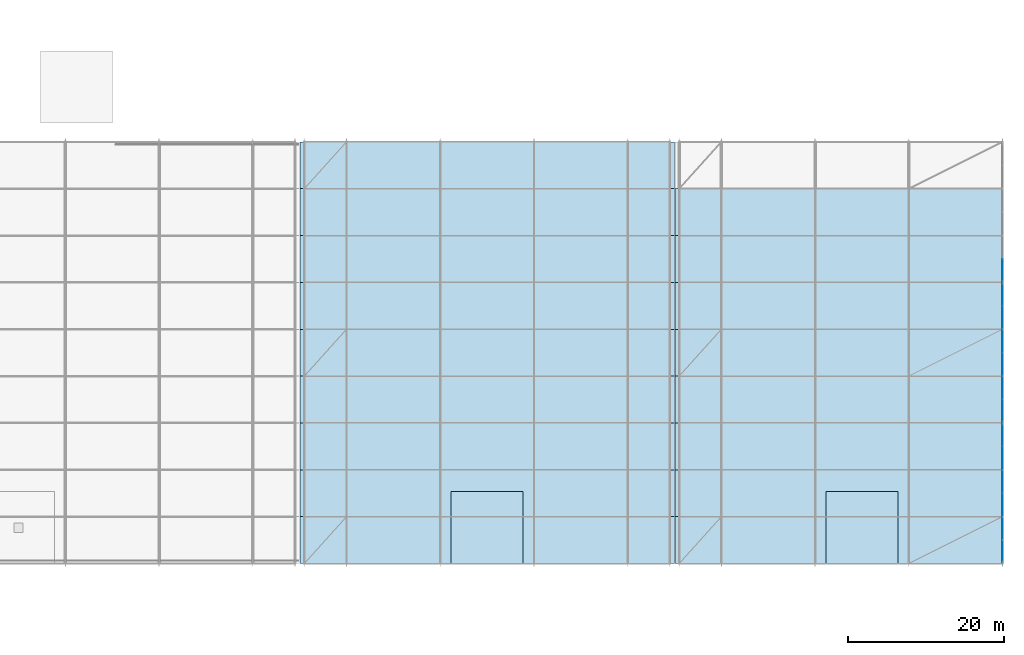
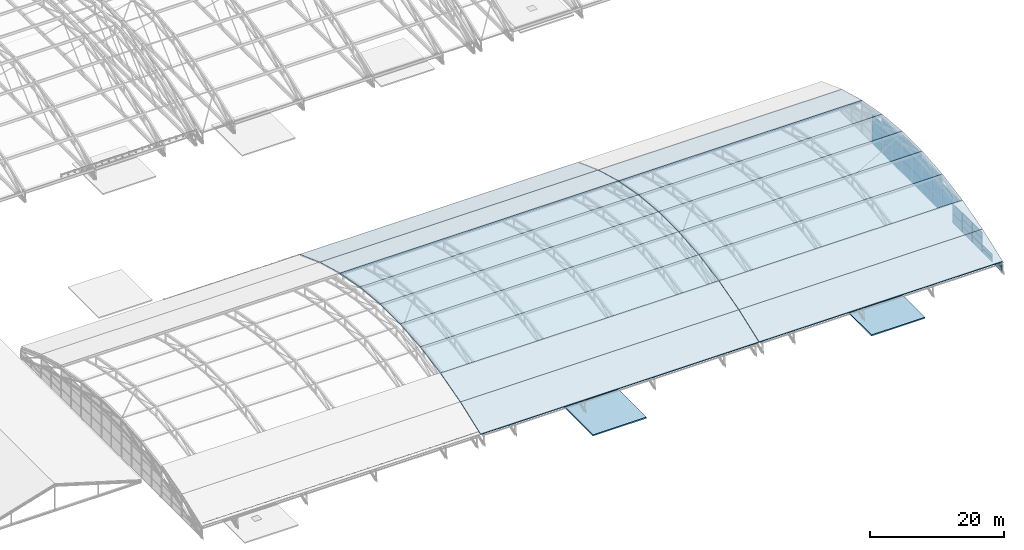
# One storey, part 162 of 204: 37 plates, 19 slabs, 9 elements without a shape of their own.
"""IFC4 building model written with IfcOpenShell, lengths in metres."""

from ifc_helpers import new_model, si_unit, direction, frame, origin, origin_2d, place, context, subcontext, project, spatial, polyline, rectangle, outline, extrude, material, layer, layer_set, type_object, element, aggregate, save


model = new_model("IFC4")

# Units and contexts
model_context = context("Model", 3, precision=1e-05, world=origin(), true_north=direction((0.0, 1.0)))
body_context = subcontext(model_context, "Body", "Model", "MODEL_VIEW")
ifc_project = project(units=[si_unit("LENGTHUNIT", "METRE"), si_unit("AREAUNIT", "SQUARE_METRE"), si_unit("VOLUMEUNIT", "CUBIC_METRE"), si_unit("PLANEANGLEUNIT", "RADIAN"), si_unit("MASSUNIT", "GRAM", prefix="KILO")], contexts=[model_context])

# Site, building, storey
site_placement = place(None, origin())
site = spatial("IfcSite", under=ifc_project, at=site_placement, CompositionType="ELEMENT")
building_placement = place(site_placement, origin())
building = spatial("IfcBuilding", under=site, at=building_placement, Name="Zilviju Railside Exhibition Hall", CompositionType="ELEMENT")
storey_placement = place(building_placement, frame((0.0, 0.0, 21.0)))
storey = spatial("IfcBuildingStorey", under=building, at=storey_placement, Name="RF", CompositionType="ELEMENT", Elevation=21.0)

# Curtain wall, plates
ifc_material_1 = material(Name="Thermally broken aluminium-steel triple-glazed curtain wall", Category="steel")
ifc_layer_1 = layer(ifc_material_1, 0.179931640625)
ifc_layer_set_1 = layer_set([ifc_layer_1], Name="Thermally broken aluminium-steel triple-glazed curtain wall")
curtain_wall_type_1 = type_object("IfcCurtainWallType", Name="CW-BAY-03", PredefinedType="USERDEFINED", material=ifc_layer_set_1)
curtain_wall_1_placement = place(storey_placement, origin())
curtain_wall_1 = element("IfcCurtainWall", 1, at=curtain_wall_1_placement, inside=storey, type_object=curtain_wall_type_1, Name="South Hall Arch Tympanum Glazing East P6", ObjectType="GLAZED CURTAIN WALL", PredefinedType="USERDEFINED")
ifc_material_2 = material(Name="Laminated acoustic double-glazed porch unit", Category="glass")
ifc_layer_2 = layer(ifc_material_2, 0.031982421875)
ifc_layer_set_2 = layer_set([ifc_layer_2], Name="Laminated acoustic double-glazed porch unit")
plate_type_1 = type_object("IfcPlateType", Name="CWP-IGU-32", PredefinedType="CURTAIN_PANEL", material=ifc_layer_set_2)
plate_1_placement = place(storey_placement, frame((216.0, 34.485107421875, -7.739990234375), z_axis=(0.0, 0.0, 1.0), x_axis=(0.0, -1.0, 0.0)))
plate_1 = element("IfcPlate", 2, at=plate_1_placement, type_object=plate_type_1, Name="CW-03 panel 1.1", PredefinedType="CURTAIN_PANEL", context=body_context, shape_type="SweptSolid", body=[
    extrude(rectangle(XDim=2.909912109375, YDim=0.031982421875, at=origin_2d()), origin(), (0.0, 0.0, 1.0), 2.10302734375),
])
plate_2_placement = place(storey_placement, frame((216.0, 34.485107421875, -5.5771484375), z_axis=(0.0, 0.0, 1.0), x_axis=(0.0, -1.0, 0.0)))
plate_2 = element("IfcPlate", 3, at=plate_2_placement, type_object=plate_type_1, Name="CW-03 panel 1.2", PredefinedType="CURTAIN_PANEL", context=body_context, shape_type="SweptSolid", body=[
    extrude(rectangle(XDim=2.909912109375, YDim=0.031982421875, at=origin_2d()), origin(), (0.0, 0.0, 1.0), 2.132080078125),
])
plate_3_placement = place(storey_placement, frame((216.0, 34.485107421875, -3.385009765625), z_axis=(0.0, 0.0, 1.0), x_axis=(0.0, -1.0, 0.0)))
plate_3 = element("IfcPlate", 4, at=plate_3_placement, type_object=plate_type_1, Name="CW-03 panel 1.3", PredefinedType="CURTAIN_PANEL", context=body_context, shape_type="SweptSolid", body=[
    extrude(rectangle(XDim=2.909912109375, YDim=0.031982421875, at=origin_2d()), origin(), (0.0, 0.0, 1.0), 2.10302734375),
])
plate_4_placement = place(storey_placement, frame((216.0, 31.514892578125, -7.739990234375), z_axis=(0.0, 0.0, 1.0), x_axis=(0.0, -1.0, 0.0)))
plate_4 = element("IfcPlate", 5, at=plate_4_placement, type_object=plate_type_1, Name="CW-03 panel 2.1", PredefinedType="CURTAIN_PANEL", context=body_context, shape_type="SweptSolid", body=[
    extrude(rectangle(XDim=2.909912109375, YDim=0.031982421875, at=origin_2d()), origin(), (0.0, 0.0, 1.0), 2.10302734375),
])
plate_5_placement = place(storey_placement, frame((216.0, 31.514892578125, -5.5771484375), z_axis=(0.0, 0.0, 1.0), x_axis=(0.0, -1.0, 0.0)))
plate_5 = element("IfcPlate", 6, at=plate_5_placement, type_object=plate_type_1, Name="CW-03 panel 2.2", PredefinedType="CURTAIN_PANEL", context=body_context, shape_type="SweptSolid", body=[
    extrude(rectangle(XDim=2.909912109375, YDim=0.031982421875, at=origin_2d()), origin(), (0.0, 0.0, 1.0), 2.132080078125),
])
plate_6_placement = place(storey_placement, frame((216.0, 31.514892578125, -3.385009765625), z_axis=(0.0, 0.0, 1.0), x_axis=(0.0, -1.0, 0.0)))
plate_6 = element("IfcPlate", 7, at=plate_6_placement, type_object=plate_type_1, Name="CW-03 panel 2.3", PredefinedType="CURTAIN_PANEL", context=body_context, shape_type="SweptSolid", body=[
    extrude(rectangle(XDim=2.909912109375, YDim=0.031982421875, at=origin_2d()), origin(), (0.0, 0.0, 1.0), 2.10302734375),
])
aggregate(curtain_wall_1, [plate_1, plate_2, plate_3, plate_4, plate_5, plate_6])

ifc_layer_3 = layer(ifc_material_1, 0.179931640625)
ifc_layer_set_3 = layer_set([ifc_layer_3], Name="Thermally broken aluminium-steel triple-glazed curtain wall")
curtain_wall_type_2 = type_object("IfcCurtainWallType", Name="CW-BAY-02", PredefinedType="USERDEFINED", material=ifc_layer_set_3)
curtain_wall_2_placement = place(storey_placement, origin())
curtain_wall_2 = element("IfcCurtainWall", 8, at=curtain_wall_2_placement, inside=storey, type_object=curtain_wall_type_2, Name="South Hall Arch Tympanum Glazing East P5", ObjectType="GLAZED CURTAIN WALL", PredefinedType="USERDEFINED")
ifc_material_3 = material(Name="Triple-glazed solar-control glass unit", Category="glass")
ifc_layer_4 = layer(ifc_material_3, 0.0380859375)
ifc_layer_set_4 = layer_set([ifc_layer_4], Name="Triple-glazed solar-control glass unit")
plate_type_2 = type_object("IfcPlateType", Name="CWP-IGU-38", PredefinedType="CURTAIN_PANEL", material=ifc_layer_set_4)
plate_7_placement = place(storey_placement, frame((216.0, 28.483642578125, -7.73486328125), z_axis=(0.0, 0.0, 1.0), x_axis=(0.0, -1.0, 0.0)))
plate_7 = element("IfcPlate", 9, at=plate_7_placement, type_object=plate_type_2, Name="CW-02 panel 1.1", PredefinedType="CURTAIN_PANEL", context=body_context, shape_type="SweptSolid", body=[
    extrude(rectangle(XDim=2.902587890625, YDim=0.0380859375, at=origin_2d()), origin(), (0.0, 0.0, 1.0), 2.279541015625),
])
plate_8_placement = place(storey_placement, frame((216.0, 28.483642578125, -5.390625), z_axis=(0.0, 0.0, 1.0), x_axis=(0.0, -1.0, 0.0)))
plate_8 = element("IfcPlate", 10, at=plate_8_placement, type_object=plate_type_2, Name="CW-02 panel 1.2", PredefinedType="CURTAIN_PANEL", context=body_context, shape_type="SweptSolid", body=[
    extrude(rectangle(XDim=2.902587890625, YDim=0.0380859375, at=origin_2d()), origin(), (0.0, 0.0, 1.0), 2.31201171875),
])
plate_9_placement = place(storey_placement, frame((216.0, 28.483642578125, -3.013671875), z_axis=(0.0, 0.0, 1.0), x_axis=(0.0, -1.0, 0.0)))
plate_9 = element("IfcPlate", 11, at=plate_9_placement, type_object=plate_type_2, Name="CW-02 panel 1.3", PredefinedType="CURTAIN_PANEL", context=body_context, shape_type="SweptSolid", body=[
    extrude(rectangle(XDim=2.902587890625, YDim=0.0380859375, at=origin_2d()), origin(), (0.0, 0.0, 1.0), 2.279541015625),
])
plate_10_placement = place(storey_placement, frame((216.0, 25.516357421875, -7.73486328125), z_axis=(0.0, 0.0, 1.0), x_axis=(0.0, -1.0, 0.0)))
plate_10 = element("IfcPlate", 12, at=plate_10_placement, type_object=plate_type_2, Name="CW-02 panel 2.1", PredefinedType="CURTAIN_PANEL", context=body_context, shape_type="SweptSolid", body=[
    extrude(rectangle(XDim=2.902587890625, YDim=0.0380859375, at=origin_2d()), origin(), (0.0, 0.0, 1.0), 2.279541015625),
])
plate_11_placement = place(storey_placement, frame((216.0, 25.516357421875, -5.390625), z_axis=(0.0, 0.0, 1.0), x_axis=(0.0, -1.0, 0.0)))
plate_11 = element("IfcPlate", 13, at=plate_11_placement, type_object=plate_type_2, Name="CW-02 panel 2.2", PredefinedType="CURTAIN_PANEL", context=body_context, shape_type="SweptSolid", body=[
    extrude(rectangle(XDim=2.902587890625, YDim=0.0380859375, at=origin_2d()), origin(), (0.0, 0.0, 1.0), 2.31201171875),
])
plate_12_placement = place(storey_placement, frame((216.0, 25.516357421875, -3.013671875), z_axis=(0.0, 0.0, 1.0), x_axis=(0.0, -1.0, 0.0)))
plate_12 = element("IfcPlate", 14, at=plate_12_placement, type_object=plate_type_2, Name="CW-02 panel 2.3", PredefinedType="CURTAIN_PANEL", context=body_context, shape_type="SweptSolid", body=[
    extrude(rectangle(XDim=2.902587890625, YDim=0.0380859375, at=origin_2d()), origin(), (0.0, 0.0, 1.0), 2.279541015625),
])
aggregate(curtain_wall_2, [plate_7, plate_8, plate_9, plate_10, plate_11, plate_12])

ifc_layer_5 = layer(ifc_material_1, 0.179931640625)
ifc_layer_set_5 = layer_set([ifc_layer_5], Name="Thermally broken aluminium-steel triple-glazed curtain wall")
curtain_wall_type_3 = type_object("IfcCurtainWallType", Name="CW-BAY-20", PredefinedType="USERDEFINED", material=ifc_layer_set_5)
curtain_wall_3_placement = place(storey_placement, origin())
curtain_wall_3 = element("IfcCurtainWall", 15, at=curtain_wall_3_placement, inside=storey, type_object=curtain_wall_type_3, Name="South Hall Arch Tympanum Glazing East P3", ObjectType="GLAZED CURTAIN WALL", PredefinedType="USERDEFINED")
ifc_material_4 = material(Name="Triple-glazed low-E argon insulating glass unit", Category="glass")
ifc_layer_6 = layer(ifc_material_4, 0.0439453125)
ifc_layer_set_6 = layer_set([ifc_layer_6], Name="Triple-glazed low-E argon insulating glass unit")
plate_type_3 = type_object("IfcPlateType", Name="CWP-IGU-44", PredefinedType="CURTAIN_PANEL", material=ifc_layer_set_6)
plate_13_placement = place(storey_placement, frame((216.0, 16.486328125, -7.7451171875), z_axis=(0.0, 0.0, 1.0), x_axis=(0.0, -1.0, 0.0)))
plate_13 = element("IfcPlate", 16, at=plate_13_placement, type_object=plate_type_3, Name="CW-20 panel 1.1", PredefinedType="CURTAIN_PANEL", context=body_context, shape_type="SweptSolid", body=[
    extrude(rectangle(XDim=2.91748046875, YDim=0.0439453125, at=origin_2d()), origin(), (0.0, 0.0, 1.0), 1.741455078125),
])
plate_14_placement = place(storey_placement, frame((216.0, 16.486328125, -5.948486328125), z_axis=(0.0, 0.0, 1.0), x_axis=(0.0, -1.0, 0.0)))
plate_14 = element("IfcPlate", 17, at=plate_14_placement, type_object=plate_type_3, Name="CW-20 panel 1.2", PredefinedType="CURTAIN_PANEL", context=body_context, shape_type="SweptSolid", body=[
    extrude(rectangle(XDim=2.91748046875, YDim=0.0439453125, at=origin_2d()), origin(), (0.0, 0.0, 1.0), 1.76904296875),
])
plate_15_placement = place(storey_placement, frame((216.0, 16.486328125, -4.12451171875), z_axis=(0.0, 0.0, 1.0), x_axis=(0.0, -1.0, 0.0)))
plate_15 = element("IfcPlate", 18, at=plate_15_placement, type_object=plate_type_3, Name="CW-20 panel 1.3", PredefinedType="CURTAIN_PANEL", context=body_context, shape_type="SweptSolid", body=[
    extrude(rectangle(XDim=2.91748046875, YDim=0.0439453125, at=origin_2d()), origin(), (0.0, 0.0, 1.0), 1.741455078125),
])
plate_16_placement = place(storey_placement, frame((216.0, 13.513671875, -7.7451171875), z_axis=(0.0, 0.0, 1.0), x_axis=(0.0, -1.0, 0.0)))
plate_16 = element("IfcPlate", 19, at=plate_16_placement, type_object=plate_type_3, Name="CW-20 panel 2.1", PredefinedType="CURTAIN_PANEL", context=body_context, shape_type="SweptSolid", body=[
    extrude(rectangle(XDim=2.91748046875, YDim=0.0439453125, at=origin_2d()), origin(), (0.0, 0.0, 1.0), 1.741455078125),
])
plate_17_placement = place(storey_placement, frame((216.0, 13.513671875, -5.948486328125), z_axis=(0.0, 0.0, 1.0), x_axis=(0.0, -1.0, 0.0)))
plate_17 = element("IfcPlate", 20, at=plate_17_placement, type_object=plate_type_3, Name="CW-20 panel 2.2", PredefinedType="CURTAIN_PANEL", context=body_context, shape_type="SweptSolid", body=[
    extrude(rectangle(XDim=2.91748046875, YDim=0.0439453125, at=origin_2d()), origin(), (0.0, 0.0, 1.0), 1.76904296875),
])
plate_18_placement = place(storey_placement, frame((216.0, 13.513671875, -4.12451171875), z_axis=(0.0, 0.0, 1.0), x_axis=(0.0, -1.0, 0.0)))
plate_18 = element("IfcPlate", 21, at=plate_18_placement, type_object=plate_type_3, Name="CW-20 panel 2.3", PredefinedType="CURTAIN_PANEL", context=body_context, shape_type="SweptSolid", body=[
    extrude(rectangle(XDim=2.91748046875, YDim=0.0439453125, at=origin_2d()), origin(), (0.0, 0.0, 1.0), 1.741455078125),
])
aggregate(curtain_wall_3, [plate_13, plate_14, plate_15, plate_16, plate_17, plate_18])

ifc_layer_7 = layer(ifc_material_1, 0.179931640625)
ifc_layer_set_7 = layer_set([ifc_layer_7], Name="Thermally broken aluminium-steel triple-glazed curtain wall")
curtain_wall_type_4 = type_object("IfcCurtainWallType", Name="CW-BAY-01", PredefinedType="USERDEFINED", material=ifc_layer_set_7)
curtain_wall_4_placement = place(storey_placement, origin())
curtain_wall_4 = element("IfcCurtainWall", 22, at=curtain_wall_4_placement, inside=storey, type_object=curtain_wall_type_4, Name="South Hall Arch Tympanum Glazing East P4", ObjectType="GLAZED CURTAIN WALL", PredefinedType="USERDEFINED")
plate_19_placement = place(storey_placement, frame((216.0, 22.482421875, -7.72998046875), z_axis=(0.0, 0.0, 1.0), x_axis=(0.0, -1.0, 0.0)))
plate_19 = element("IfcPlate", 23, at=plate_19_placement, type_object=plate_type_3, Name="CW-01 panel 1.1", PredefinedType="CURTAIN_PANEL", context=body_context, shape_type="SweptSolid", body=[
    extrude(rectangle(XDim=2.89501953125, YDim=0.0439453125, at=origin_2d()), origin(), (0.0, 0.0, 1.0), 2.087890625),
])
plate_20_placement = place(storey_placement, frame((216.0, 22.482421875, -5.572021484375), z_axis=(0.0, 0.0, 1.0), x_axis=(0.0, -1.0, 0.0)))
plate_20 = element("IfcPlate", 24, at=plate_20_placement, type_object=plate_type_3, Name="CW-01 panel 1.2", PredefinedType="CURTAIN_PANEL", context=body_context, shape_type="SweptSolid", body=[
    extrude(rectangle(XDim=2.89501953125, YDim=0.0439453125, at=origin_2d()), origin(), (0.0, 0.0, 1.0), 2.1220703125),
])
plate_21_placement = place(storey_placement, frame((216.0, 22.482421875, -3.3798828125), z_axis=(0.0, 0.0, 1.0), x_axis=(0.0, -1.0, 0.0)))
plate_21 = element("IfcPlate", 25, at=plate_21_placement, type_object=plate_type_3, Name="CW-01 panel 1.3", PredefinedType="CURTAIN_PANEL", context=body_context, shape_type="SweptSolid", body=[
    extrude(rectangle(XDim=2.89501953125, YDim=0.0439453125, at=origin_2d()), origin(), (0.0, 0.0, 1.0), 2.087890625),
])
plate_22_placement = place(storey_placement, frame((216.0, 19.517578125, -7.72998046875), z_axis=(0.0, 0.0, 1.0), x_axis=(0.0, -1.0, 0.0)))
plate_22 = element("IfcPlate", 26, at=plate_22_placement, type_object=plate_type_3, Name="CW-01 panel 2.1", PredefinedType="CURTAIN_PANEL", context=body_context, shape_type="SweptSolid", body=[
    extrude(rectangle(XDim=2.89501953125, YDim=0.0439453125, at=origin_2d()), origin(), (0.0, 0.0, 1.0), 2.087890625),
])
plate_23_placement = place(storey_placement, frame((216.0, 19.517578125, -5.572021484375), z_axis=(0.0, 0.0, 1.0), x_axis=(0.0, -1.0, 0.0)))
plate_23 = element("IfcPlate", 27, at=plate_23_placement, type_object=plate_type_3, Name="CW-01 panel 2.2", PredefinedType="CURTAIN_PANEL", context=body_context, shape_type="SweptSolid", body=[
    extrude(rectangle(XDim=2.89501953125, YDim=0.0439453125, at=origin_2d()), origin(), (0.0, 0.0, 1.0), 2.1220703125),
])
plate_24_placement = place(storey_placement, frame((216.0, 19.517578125, -3.3798828125), z_axis=(0.0, 0.0, 1.0), x_axis=(0.0, -1.0, 0.0)))
plate_24 = element("IfcPlate", 28, at=plate_24_placement, type_object=plate_type_3, Name="CW-01 panel 2.3", PredefinedType="CURTAIN_PANEL", context=body_context, shape_type="SweptSolid", body=[
    extrude(rectangle(XDim=2.89501953125, YDim=0.0439453125, at=origin_2d()), origin(), (0.0, 0.0, 1.0), 2.087890625),
])
aggregate(curtain_wall_4, [plate_19, plate_20, plate_21, plate_22, plate_23, plate_24])

ifc_layer_8 = layer(ifc_material_1, 0.179931640625)
ifc_layer_set_8 = layer_set([ifc_layer_8], Name="Thermally broken aluminium-steel triple-glazed curtain wall")
curtain_wall_type_5 = type_object("IfcCurtainWallType", Name="CW-BAY-18", PredefinedType="USERDEFINED", material=ifc_layer_set_8)
curtain_wall_5_placement = place(storey_placement, origin())
curtain_wall_5 = element("IfcCurtainWall", 29, at=curtain_wall_5_placement, inside=storey, type_object=curtain_wall_type_5, Name="South Hall Arch Tympanum Glazing East P1", ObjectType="GLAZED CURTAIN WALL", PredefinedType="USERDEFINED")
ifc_material_5 = material(Name="Insulated cobalt-blue enamelled spandrel glass panel", Category="glass")
ifc_layer_9 = layer(ifc_material_5, 0.052001953125)
ifc_layer_set_9 = layer_set([ifc_layer_9], Name="Insulated cobalt-blue enamelled spandrel glass panel")
plate_type_4 = type_object("IfcPlateType", Name="CWP-SPD-52", PredefinedType="CURTAIN_PANEL", material=ifc_layer_set_9)
plate_25_placement = place(storey_placement, frame((216.0, 4.47998046875, -7.7197265625), z_axis=(0.0, 0.0, 1.0), x_axis=(0.0, -1.0, 0.0)))
plate_25 = element("IfcPlate", 30, at=plate_25_placement, type_object=plate_type_4, Name="CW-18 panel 1.1", PredefinedType="CURTAIN_PANEL", context=body_context, shape_type="SweptSolid", body=[
    extrude(rectangle(XDim=2.8798828125, YDim=0.052001953125, at=origin_2d()), origin(), (0.0, 0.0, 1.0), 0.679931640625),
])
plate_26_placement = place(storey_placement, frame((216.0, 4.47998046875, -6.9599609375), z_axis=(0.0, 0.0, 1.0), x_axis=(0.0, -1.0, 0.0)))
plate_26 = element("IfcPlate", 31, at=plate_26_placement, type_object=plate_type_4, Name="CW-18 panel 1.2", PredefinedType="CURTAIN_PANEL", context=body_context, shape_type="SweptSolid", body=[
    extrude(rectangle(XDim=2.8798828125, YDim=0.052001953125, at=origin_2d()), origin(), (0.0, 0.0, 1.0), 0.679931640625),
])
plate_27_placement = place(storey_placement, frame((216.0, 1.52001953125, -7.7197265625), z_axis=(0.0, 0.0, 1.0), x_axis=(0.0, -1.0, 0.0)))
plate_27 = element("IfcPlate", 32, at=plate_27_placement, type_object=plate_type_4, Name="CW-18 panel 2.1", PredefinedType="CURTAIN_PANEL", context=body_context, shape_type="SweptSolid", body=[
    extrude(rectangle(XDim=2.8798828125, YDim=0.052001953125, at=origin_2d()), origin(), (0.0, 0.0, 1.0), 0.679931640625),
])
plate_28_placement = place(storey_placement, frame((216.0, 1.52001953125, -6.9599609375), z_axis=(0.0, 0.0, 1.0), x_axis=(0.0, -1.0, 0.0)))
plate_28 = element("IfcPlate", 33, at=plate_28_placement, type_object=plate_type_4, Name="CW-18 panel 2.2", PredefinedType="CURTAIN_PANEL", context=body_context, shape_type="SweptSolid", body=[
    extrude(rectangle(XDim=2.8798828125, YDim=0.052001953125, at=origin_2d()), origin(), (0.0, 0.0, 1.0), 0.679931640625),
])
aggregate(curtain_wall_5, [plate_25, plate_26, plate_27, plate_28])

ifc_layer_10 = layer(ifc_material_1, 0.179931640625)
ifc_layer_set_10 = layer_set([ifc_layer_10], Name="Thermally broken aluminium-steel triple-glazed curtain wall")
curtain_wall_type_6 = type_object("IfcCurtainWallType", Name="CW-BAY-04", PredefinedType="USERDEFINED", material=ifc_layer_set_10)
curtain_wall_6_placement = place(storey_placement, origin())
curtain_wall_6 = element("IfcCurtainWall", 34, at=curtain_wall_6_placement, inside=storey, type_object=curtain_wall_type_6, Name="South Hall Arch Tympanum Glazing East P7", ObjectType="GLAZED CURTAIN WALL", PredefinedType="USERDEFINED")
plate_29_placement = place(storey_placement, frame((216.0, 37.52001953125, -7.719970703125), z_axis=(0.0, 0.0, 1.0), x_axis=(0.0, -1.0, 0.0)))
plate_29 = element("IfcPlate", 35, at=plate_29_placement, type_object=plate_type_4, Name="CW-04 panel 2.1", PredefinedType="CURTAIN_PANEL", context=body_context, shape_type="SweptSolid", body=[
    extrude(rectangle(XDim=2.8798828125, YDim=0.052001953125, at=origin_2d()), origin(), (0.0, 0.0, 1.0), 1.7041015625),
])
plate_30_placement = place(storey_placement, frame((216.0, 37.52001953125, -5.93603515625), z_axis=(0.0, 0.0, 1.0), x_axis=(0.0, -1.0, 0.0)))
plate_30 = element("IfcPlate", 36, at=plate_30_placement, type_object=plate_type_4, Name="CW-04 panel 2.2", PredefinedType="CURTAIN_PANEL", context=body_context, shape_type="SweptSolid", body=[
    extrude(rectangle(XDim=2.8798828125, YDim=0.052001953125, at=origin_2d()), origin(), (0.0, 0.0, 1.0), 1.743896484375),
])
plate_31_placement = place(storey_placement, frame((216.0, 37.52001953125, -4.112060546875), z_axis=(0.0, 0.0, 1.0), x_axis=(0.0, -1.0, 0.0)))
plate_31 = element("IfcPlate", 37, at=plate_31_placement, type_object=plate_type_4, Name="CW-04 panel 2.3", PredefinedType="CURTAIN_PANEL", context=body_context, shape_type="SweptSolid", body=[
    extrude(rectangle(XDim=2.8798828125, YDim=0.052001953125, at=origin_2d()), origin(), (0.0, 0.0, 1.0), 1.7041015625),
])
aggregate(curtain_wall_6, [plate_29, plate_30, plate_31])

ifc_layer_11 = layer(ifc_material_1, 0.179931640625)
ifc_layer_set_11 = layer_set([ifc_layer_11], Name="Thermally broken aluminium-steel triple-glazed curtain wall")
curtain_wall_type_7 = type_object("IfcCurtainWallType", Name="CW-BAY-19", PredefinedType="USERDEFINED", material=ifc_layer_set_11)
curtain_wall_7_placement = place(storey_placement, origin())
curtain_wall_7 = element("IfcCurtainWall", 38, at=curtain_wall_7_placement, inside=storey, type_object=curtain_wall_type_7, Name="South Hall Arch Tympanum Glazing East P2", ObjectType="GLAZED CURTAIN WALL", PredefinedType="USERDEFINED")
ifc_material_6 = material(Name="Insulated emerald ceramic-frit spandrel panel", Category="glass")
ifc_layer_12 = layer(ifc_material_6, 0.06396484375)
ifc_layer_set_12 = layer_set([ifc_layer_12], Name="Insulated emerald ceramic-frit spandrel panel")
plate_type_5 = type_object("IfcPlateType", Name="CWP-SPD-64", PredefinedType="CURTAIN_PANEL", material=ifc_layer_set_12)
plate_32_placement = place(storey_placement, frame((216.0, 10.481201171875, -7.72509765625), z_axis=(0.0, 0.0, 1.0), x_axis=(0.0, -1.0, 0.0)))
plate_32 = element("IfcPlate", 39, at=plate_32_placement, type_object=plate_type_5, Name="CW-19 panel 1.1", PredefinedType="CURTAIN_PANEL", context=body_context, shape_type="SweptSolid", body=[
    extrude(rectangle(XDim=2.887451171875, YDim=0.06396484375, at=origin_2d()), origin(), (0.0, 0.0, 1.0), 1.158447265625),
])
plate_33_placement = place(storey_placement, frame((216.0, 10.481201171875, -6.49169921875), z_axis=(0.0, 0.0, 1.0), x_axis=(0.0, -1.0, 0.0)))
plate_33 = element("IfcPlate", 40, at=plate_33_placement, type_object=plate_type_5, Name="CW-19 panel 1.2", PredefinedType="CURTAIN_PANEL", context=body_context, shape_type="SweptSolid", body=[
    extrude(rectangle(XDim=2.887451171875, YDim=0.06396484375, at=origin_2d()), origin(), (0.0, 0.0, 1.0), 1.195068359375),
])
plate_34_placement = place(storey_placement, frame((216.0, 10.481201171875, -5.2216796875), z_axis=(0.0, 0.0, 1.0), x_axis=(0.0, -1.0, 0.0)))
plate_34 = element("IfcPlate", 41, at=plate_34_placement, type_object=plate_type_5, Name="CW-19 panel 1.3", PredefinedType="CURTAIN_PANEL", context=body_context, shape_type="SweptSolid", body=[
    extrude(rectangle(XDim=2.887451171875, YDim=0.06396484375, at=origin_2d()), origin(), (0.0, 0.0, 1.0), 1.158447265625),
])
plate_35_placement = place(storey_placement, frame((216.0, 7.518798828125, -7.72509765625), z_axis=(0.0, 0.0, 1.0), x_axis=(0.0, -1.0, 0.0)))
plate_35 = element("IfcPlate", 42, at=plate_35_placement, type_object=plate_type_5, Name="CW-19 panel 2.1", PredefinedType="CURTAIN_PANEL", context=body_context, shape_type="SweptSolid", body=[
    extrude(rectangle(XDim=2.887451171875, YDim=0.06396484375, at=origin_2d()), origin(), (0.0, 0.0, 1.0), 1.158447265625),
])
plate_36_placement = place(storey_placement, frame((216.0, 7.518798828125, -6.49169921875), z_axis=(0.0, 0.0, 1.0), x_axis=(0.0, -1.0, 0.0)))
plate_36 = element("IfcPlate", 43, at=plate_36_placement, type_object=plate_type_5, Name="CW-19 panel 2.2", PredefinedType="CURTAIN_PANEL", context=body_context, shape_type="SweptSolid", body=[
    extrude(rectangle(XDim=2.887451171875, YDim=0.06396484375, at=origin_2d()), origin(), (0.0, 0.0, 1.0), 1.195068359375),
])
plate_37_placement = place(storey_placement, frame((216.0, 7.518798828125, -5.2216796875), z_axis=(0.0, 0.0, 1.0), x_axis=(0.0, -1.0, 0.0)))
plate_37 = element("IfcPlate", 44, at=plate_37_placement, type_object=plate_type_5, Name="CW-19 panel 2.3", PredefinedType="CURTAIN_PANEL", context=body_context, shape_type="SweptSolid", body=[
    extrude(rectangle(XDim=2.887451171875, YDim=0.06396484375, at=origin_2d()), origin(), (0.0, 0.0, 1.0), 1.158447265625),
])
aggregate(curtain_wall_7, [plate_32, plate_33, plate_34, plate_35, plate_36, plate_37])

# Slabs
ifc_material_7 = material(Name="Concrete C35/45", Category="concrete")
ifc_layer_13 = layer(ifc_material_7, 0.219970703125)
ifc_layer_set_13 = layer_set([ifc_layer_13], Name="Concrete C35/45")
slab_type_1 = type_object("IfcSlabType", Name="SL-RCAP-220", PredefinedType="ROOF", material=ifc_layer_set_13)
slab_1_placement = place(storey_placement, frame((0.0, 0.0, -12.820068359375)))
element("IfcSlab", 45, at=slab_1_placement, inside=storey, type_object=slab_type_1, Name="Core C02 South Hall Mid Overrun Roof Cap", PredefinedType="ROOF", context=body_context, shape_type="SweptSolid", body=[
    extrude(outline(polyline([(145.39990234375, 0.0), (154.60009765625, 0.0), (154.60009765625, 9.199951171875), (145.39990234375, 9.199951171875), (145.39990234375, 0.0)])), origin(), (0.0, 0.0, 1.0), 0.219970703125),
])
slab_2_placement = place(storey_placement, frame((0.0, 0.0, -11.419921875)))
element("IfcSlab", 46, at=slab_2_placement, inside=storey, type_object=slab_type_1, Name="Core C03 South Hall East Overrun Roof Cap", PredefinedType="ROOF", context=body_context, shape_type="SweptSolid", body=[
    extrude(outline(polyline([(193.39990234375, 0.0), (202.60009765625, 0.0), (202.60009765625, 9.199951171875), (193.39990234375, 9.199951171875), (193.39990234375, 0.0)])), origin(), (0.0, 0.0, 1.0), 0.219970703125),
])

# Roof, slabs
ifc_material_8 = material(Name="Standing-seam zinc-copper acoustic barrel roof deck", Category="steel")
ifc_layer_14 = layer(ifc_material_8, 0.239990234375)
ifc_layer_set_14 = layer_set([ifc_layer_14], Name="Standing-seam zinc-copper acoustic barrel roof deck")
roof_type = type_object("IfcRoofType", Name="ROOF-BARREL-ZINC", PredefinedType="BARREL_ROOF", material=ifc_layer_set_14)
roof_1_placement = place(storey_placement, origin())
roof_1 = element("IfcRoof", 47, at=roof_1_placement, inside=storey, type_object=roof_type, Name="V1 Standing-Seam Barrel Vault Roof Block 2", PredefinedType="BARREL_ROOF")
ifc_layer_15 = layer(ifc_material_7, 0.22998046875)
ifc_layer_set_15 = layer_set([ifc_layer_15], Name="Concrete C35/45")
slab_type_2 = type_object("IfcSlabType", Name="SL-ROOF-230", PredefinedType="ROOF", material=ifc_layer_set_15)
slab_3_placement = place(storey_placement, frame((126.030029296875, 0.0, -5.675048828125), z_axis=(0.0, -0.345963648468, 0.938247917098), x_axis=(1.0, 0.0, 0.0)))
slab_3 = element("IfcSlab", 48, at=slab_3_placement, type_object=slab_type_2, Name="V1 Barrel Vault Roof Deck B2.1", PredefinedType="ROOF", context=body_context, shape_type="SweptSolid", body=[
    extrude(outline(polyline([(0.0, 0.0), (47.93994140625, 0.0), (47.93994140625, 6.394898289310824), (0.0, 6.394898289310824), (0.0, 0.0)])), origin(), (0.0, 0.0, -1.0), 0.22998046875),
])
slab_4_placement = place(storey_placement, frame((126.030029296875, 6.0, -3.462646484375), z_axis=(0.0, -0.266527144223, 0.963827412659), x_axis=(1.0, 0.0, 0.0)))
slab_4 = element("IfcSlab", 49, at=slab_4_placement, type_object=slab_type_2, Name="V1 Barrel Vault Roof Deck B2.2", PredefinedType="ROOF", context=body_context, shape_type="SweptSolid", body=[
    extrude(outline(polyline([(0.0, 0.0), (47.93994140625, 0.0), (47.93994140625, 6.225180899814285), (0.0, 6.225180899814285), (0.0, 0.0)])), origin(), (0.0, 0.0, -1.0), 0.22998046875),
])
slab_5_placement = place(storey_placement, frame((126.030029296875, 12.0, -1.803466796875), z_axis=(0.0, -0.18131112606, 0.98342578549), x_axis=(1.0, 0.0, 0.0)))
slab_5 = element("IfcSlab", 50, at=slab_5_placement, type_object=slab_type_2, Name="V1 Barrel Vault Roof Deck B2.3", PredefinedType="ROOF", context=body_context, shape_type="SweptSolid", body=[
    extrude(outline(polyline([(0.0, 0.0), (47.93994140625, 0.0), (47.93994140625, 6.101121293062254), (0.0, 6.101121293062254), (0.0, 0.0)])), origin(), (0.0, 0.0, -1.0), 0.22998046875),
])
slab_6_placement = place(storey_placement, frame((126.030029296875, 18.0, -0.697265625), z_axis=(0.0, -0.091814320641, 0.995776144786), x_axis=(1.0, 0.0, 0.0)))
slab_6 = element("IfcSlab", 51, at=slab_6_placement, type_object=slab_type_2, Name="V1 Barrel Vault Roof Deck B2.4", PredefinedType="ROOF", context=body_context, shape_type="SweptSolid", body=[
    extrude(outline(polyline([(0.0, 0.0), (47.93994140625, 0.0), (47.93994140625, 6.0254506310638964), (0.0, 6.0254506310638964), (0.0, 0.0)])), origin(), (0.0, 0.0, -1.0), 0.22998046875),
])
slab_7_placement = place(storey_placement, frame((126.030029296875, 24.0, -0.14404296875), z_axis=(0.0, 0.0, 1.0), x_axis=(1.0, 0.0, 0.0)))
slab_7 = element("IfcSlab", 52, at=slab_7_placement, type_object=slab_type_2, Name="V1 Barrel Vault Roof Deck B2.5", PredefinedType="ROOF", context=body_context, shape_type="SweptSolid", body=[
    extrude(outline(polyline([(0.0, 0.0), (47.93994140625, 0.0), (47.93994140625, 6.0), (0.0, 6.0), (0.0, 0.0)])), origin(), (0.0, 0.0, -1.0), 0.22998046875),
])
slab_8_placement = place(storey_placement, frame((126.030029296875, 30.0, -0.14404296875), z_axis=(0.0, 0.091814320641, 0.995776144786), x_axis=(1.0, 0.0, 0.0)))
slab_8 = element("IfcSlab", 53, at=slab_8_placement, type_object=slab_type_2, Name="V1 Barrel Vault Roof Deck B2.6", PredefinedType="ROOF", context=body_context, shape_type="SweptSolid", body=[
    extrude(outline(polyline([(0.0, 0.0), (47.93994140625, 0.0), (47.93994140625, 6.0254506310638964), (0.0, 6.0254506310638964), (0.0, 0.0)])), origin(), (0.0, 0.0, -1.0), 0.22998046875),
])
slab_9_placement = place(storey_placement, frame((126.030029296875, 36.0, -0.697265625), z_axis=(0.0, 0.18131112606, 0.98342578549), x_axis=(1.0, 0.0, 0.0)))
slab_9 = element("IfcSlab", 54, at=slab_9_placement, type_object=slab_type_2, Name="V1 Barrel Vault Roof Deck B2.7", PredefinedType="ROOF", context=body_context, shape_type="SweptSolid", body=[
    extrude(outline(polyline([(0.0, 0.0), (47.93994140625, 0.0), (47.93994140625, 6.101121293062254), (0.0, 6.101121293062254), (0.0, 0.0)])), origin(), (0.0, 0.0, -1.0), 0.22998046875),
])
slab_10_placement = place(storey_placement, frame((126.030029296875, 42.0, -1.803466796875), z_axis=(0.0, 0.266527144223, 0.963827412659), x_axis=(1.0, 0.0, 0.0)))
slab_10 = element("IfcSlab", 55, at=slab_10_placement, type_object=slab_type_2, Name="V1 Barrel Vault Roof Deck B2.8", PredefinedType="ROOF", context=body_context, shape_type="SweptSolid", body=[
    extrude(outline(polyline([(0.0, 0.0), (47.93994140625, 0.0), (47.93994140625, 6.225180899814285), (0.0, 6.225180899814285), (0.0, 0.0)])), origin(), (0.0, 0.0, -1.0), 0.22998046875),
])
slab_11_placement = place(storey_placement, frame((126.030029296875, 48.0, -3.462646484375), z_axis=(0.0, 0.345963648468, 0.938247917098), x_axis=(1.0, 0.0, 0.0)))
slab_11 = element("IfcSlab", 56, at=slab_11_placement, type_object=slab_type_2, Name="V1 Barrel Vault Roof Deck B2.9", PredefinedType="ROOF", context=body_context, shape_type="SweptSolid", body=[
    extrude(outline(polyline([(0.0, 0.0), (47.93994140625, 0.0), (47.93994140625, 6.394898289310824), (0.0, 6.394898289310824), (0.0, 0.0)])), origin(), (0.0, 0.0, -1.0), 0.22998046875),
])
aggregate(roof_1, [slab_3, slab_4, slab_5, slab_6, slab_7, slab_8, slab_9, slab_10, slab_11])

roof_2_placement = place(storey_placement, origin())
roof_2 = element("IfcRoof", 57, at=roof_2_placement, inside=storey, type_object=roof_type, Name="V1 Standing-Seam Barrel Vault Roof Block 3", PredefinedType="BARREL_ROOF")
slab_12_placement = place(storey_placement, frame((174.030029296875, 0.0, -5.675048828125), z_axis=(0.0, -0.345963648468, 0.938247917098), x_axis=(1.0, 0.0, 0.0)))
slab_12 = element("IfcSlab", 58, at=slab_12_placement, type_object=slab_type_2, Name="V1 Barrel Vault Roof Deck B3.1", PredefinedType="ROOF", context=body_context, shape_type="SweptSolid", body=[
    extrude(outline(polyline([(0.0, 0.0), (41.969970703125, 0.0), (41.969970703125, 6.394898289310824), (0.0, 6.394898289310824), (0.0, 0.0)])), origin(), (0.0, 0.0, -1.0), 0.22998046875),
])
slab_13_placement = place(storey_placement, frame((174.030029296875, 6.0, -3.462646484375), z_axis=(0.0, -0.266527144223, 0.963827412659), x_axis=(1.0, 0.0, 0.0)))
slab_13 = element("IfcSlab", 59, at=slab_13_placement, type_object=slab_type_2, Name="V1 Barrel Vault Roof Deck B3.2", PredefinedType="ROOF", context=body_context, shape_type="SweptSolid", body=[
    extrude(outline(polyline([(0.0, 0.0), (41.969970703125, 0.0), (41.969970703125, 6.225180899814285), (0.0, 6.225180899814285), (0.0, 0.0)])), origin(), (0.0, 0.0, -1.0), 0.22998046875),
])
slab_14_placement = place(storey_placement, frame((174.030029296875, 12.0, -1.803466796875), z_axis=(0.0, -0.18131112606, 0.98342578549), x_axis=(1.0, 0.0, 0.0)))
slab_14 = element("IfcSlab", 60, at=slab_14_placement, type_object=slab_type_2, Name="V1 Barrel Vault Roof Deck B3.3", PredefinedType="ROOF", context=body_context, shape_type="SweptSolid", body=[
    extrude(outline(polyline([(0.0, 0.0), (41.969970703125, 0.0), (41.969970703125, 6.101121293062254), (0.0, 6.101121293062254), (0.0, 0.0)])), origin(), (0.0, 0.0, -1.0), 0.22998046875),
])
slab_15_placement = place(storey_placement, frame((174.030029296875, 18.0, -0.697265625), z_axis=(0.0, -0.091814320641, 0.995776144786), x_axis=(1.0, 0.0, 0.0)))
slab_15 = element("IfcSlab", 61, at=slab_15_placement, type_object=slab_type_2, Name="V1 Barrel Vault Roof Deck B3.4", PredefinedType="ROOF", context=body_context, shape_type="SweptSolid", body=[
    extrude(outline(polyline([(0.0, 0.0), (41.969970703125, 0.0), (41.969970703125, 6.0254506310638964), (0.0, 6.0254506310638964), (0.0, 0.0)])), origin(), (0.0, 0.0, -1.0), 0.22998046875),
])
slab_16_placement = place(storey_placement, frame((174.030029296875, 24.0, -0.14404296875), z_axis=(0.0, 0.0, 1.0), x_axis=(1.0, 0.0, 0.0)))
slab_16 = element("IfcSlab", 62, at=slab_16_placement, type_object=slab_type_2, Name="V1 Barrel Vault Roof Deck B3.5", PredefinedType="ROOF", context=body_context, shape_type="SweptSolid", body=[
    extrude(outline(polyline([(0.0, 0.0), (41.969970703125, 0.0), (41.969970703125, 6.0), (0.0, 6.0), (0.0, 0.0)])), origin(), (0.0, 0.0, -1.0), 0.22998046875),
])
slab_17_placement = place(storey_placement, frame((174.030029296875, 30.0, -0.14404296875), z_axis=(0.0, 0.091814320641, 0.995776144786), x_axis=(1.0, 0.0, 0.0)))
slab_17 = element("IfcSlab", 63, at=slab_17_placement, type_object=slab_type_2, Name="V1 Barrel Vault Roof Deck B3.6", PredefinedType="ROOF", context=body_context, shape_type="SweptSolid", body=[
    extrude(outline(polyline([(0.0, 0.0), (41.969970703125, 0.0), (41.969970703125, 6.0254506310638964), (0.0, 6.0254506310638964), (0.0, 0.0)])), origin(), (0.0, 0.0, -1.0), 0.22998046875),
])
slab_18_placement = place(storey_placement, frame((174.030029296875, 36.0, -0.697265625), z_axis=(0.0, 0.18131112606, 0.98342578549), x_axis=(1.0, 0.0, 0.0)))
slab_18 = element("IfcSlab", 64, at=slab_18_placement, type_object=slab_type_2, Name="V1 Barrel Vault Roof Deck B3.7", PredefinedType="ROOF", context=body_context, shape_type="SweptSolid", body=[
    extrude(outline(polyline([(0.0, 0.0), (41.969970703125, 0.0), (41.969970703125, 6.101121293062254), (0.0, 6.101121293062254), (0.0, 0.0)])), origin(), (0.0, 0.0, -1.0), 0.22998046875),
])
slab_19_placement = place(storey_placement, frame((174.030029296875, 42.0, -1.803466796875), z_axis=(0.0, 0.266527144223, 0.963827412659), x_axis=(1.0, 0.0, 0.0)))
slab_19 = element("IfcSlab", 65, at=slab_19_placement, type_object=slab_type_2, Name="V1 Barrel Vault Roof Deck B3.8", PredefinedType="ROOF", context=body_context, shape_type="SweptSolid", body=[
    extrude(outline(polyline([(0.0, 0.0), (41.969970703125, 0.0), (41.969970703125, 6.225180899814285), (0.0, 6.225180899814285), (0.0, 0.0)])), origin(), (0.0, 0.0, -1.0), 0.22998046875),
])
aggregate(roof_2, [slab_12, slab_13, slab_14, slab_15, slab_16, slab_17, slab_18, slab_19])

save(model, "model.ifc")
